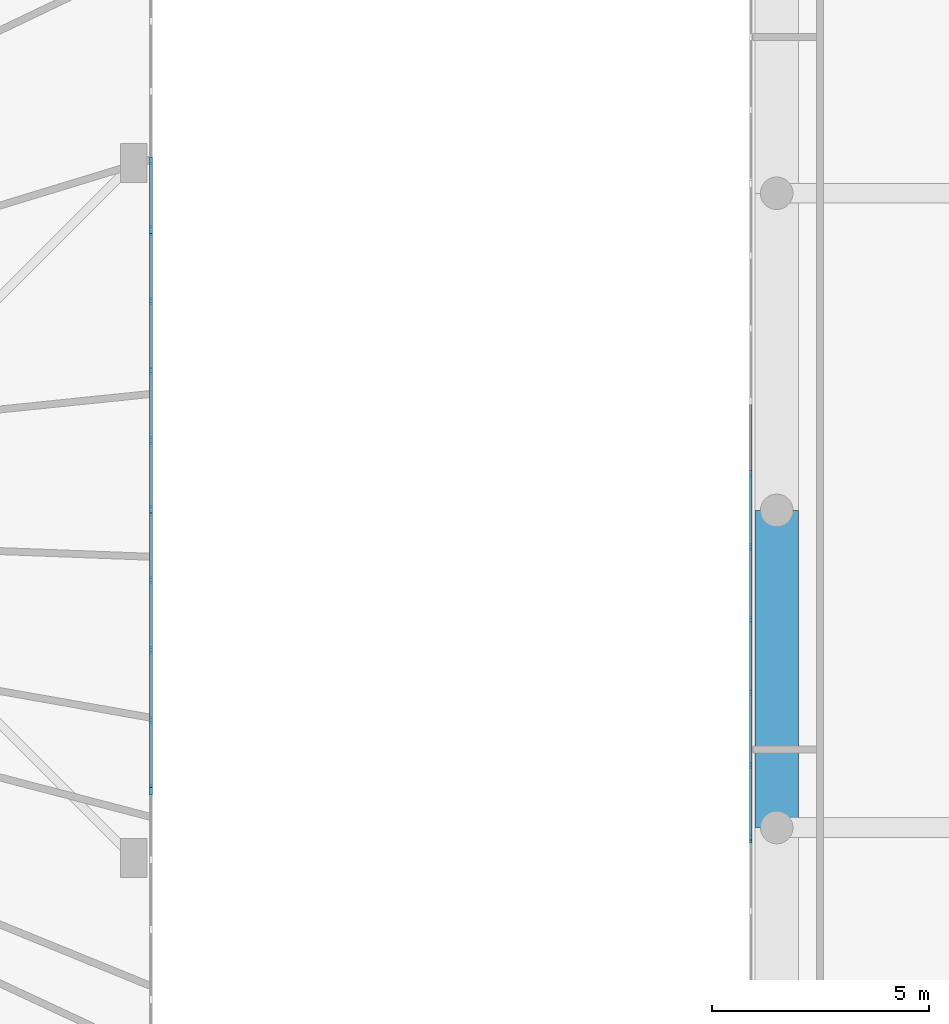
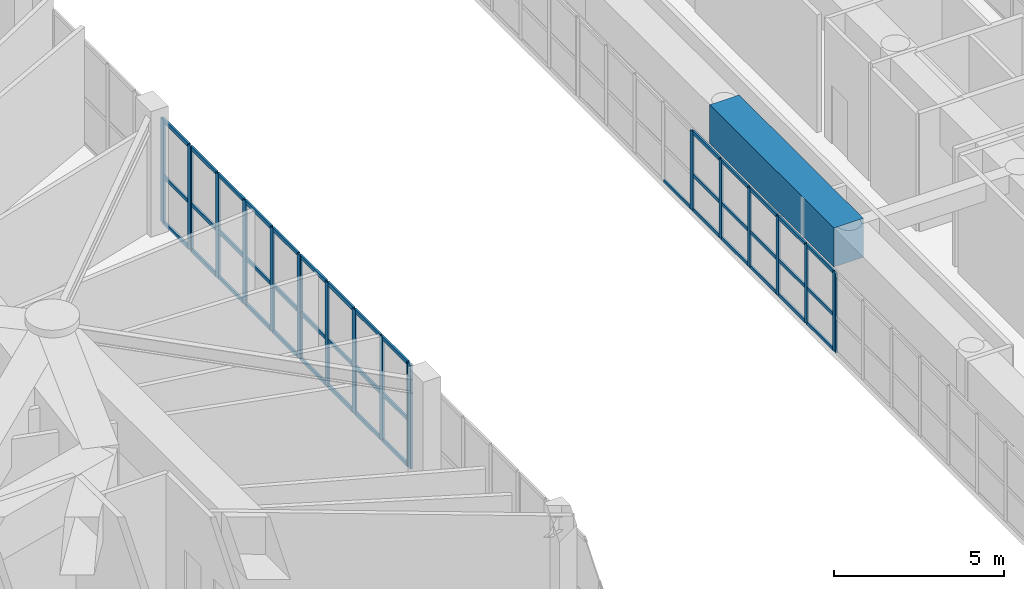
# One storey, part 4 of 22: 63 members, 1 beam, 6 elements without a shape of their own.
"""IFC4 building model written with IfcOpenShell, lengths in metres."""

from ifc_helpers import new_model, si_unit, direction, frame, origin, origin_with_axes, origin_2d, place, context, subcontext, project, spatial, rectangle, extrude, source, transform, mapped, material, layer, layer_set, material_profile, profile_set, type_object, element, aggregate, save


model = new_model("IFC4")

# Units and contexts
model_context = context("Model", 3, precision=1e-05, world=origin(), true_north=direction((0.0, 1.0)))
body_context = subcontext(model_context, "Body", "Model", "MODEL_VIEW")
ifc_project = project(units=[si_unit("LENGTHUNIT", "METRE"), si_unit("AREAUNIT", "SQUARE_METRE"), si_unit("VOLUMEUNIT", "CUBIC_METRE"), si_unit("PLANEANGLEUNIT", "RADIAN"), si_unit("MASSUNIT", "GRAM", prefix="KILO")], contexts=[model_context])

# Site, building, storey
site_placement = place(None, origin())
site = spatial("IfcSite", under=ifc_project, at=site_placement, CompositionType="ELEMENT")
building_placement = place(site_placement, origin())
building = spatial("IfcBuilding", under=site, at=building_placement, Name="Karkom Vertical University and Central Library", CompositionType="ELEMENT")
storey_placement = place(building_placement, frame((0.0, 0.0, 18.0)))
storey = spatial("IfcBuildingStorey", under=building, at=storey_placement, Name="L04", CompositionType="ELEMENT", Elevation=18.0)

# Beam
ifc_material_1 = material(Name="Concrete C50/60", Category="concrete")
ifc_material_profile_1 = material_profile(ifc_material_1, rectangle(XDim=1.0, YDim=1.39990234375, at=origin_2d()), Name="TG-1000x1400")
ifc_profile_set_1 = profile_set([ifc_material_profile_1], Name="Concrete C50/60")
beam_type = type_object("IfcBeamType", Name="STR-BM-TG-2", PredefinedType="USERDEFINED", material=ifc_profile_set_1)
shared_shape_1 = source(origin_with_axes(), body_context, "Body", "SweptSolid", [
    extrude(rectangle(XDim=1.0, YDim=1.39990234375, at=origin_2d()), origin(), (0.0, 0.0, 1.0), 7.300048828125),
])
beam_placement = place(storey_placement, frame((69.60009765625, 19.199951171875, 3.52490234375), z_axis=(0.0, 1.0, 0.0), x_axis=(-1.0, 0.0, 0.0)))
element("IfcBeam", 1, at=beam_placement, inside=storey, type_object=beam_type, Name="Level 04 Library Vault Transfer Eave Girder 1.3", ObjectType="GIRDER", PredefinedType="USERDEFINED", context=body_context, shape_type="MappedRepresentation", body=[
    mapped(shared_shape_1, transform((0.0, 0.0, 0.0), scale=1.0)),
])

# Curtain wall, member
ifc_material_2 = material(Name="Aluminium curtain-wall framing and low-E IGU", Category="aluminium")
ifc_layer_1 = layer(ifc_material_2, 0.199951171875)
ifc_layer_set_1 = layer_set([ifc_layer_1], Name="Aluminium curtain-wall framing and low-E IGU")
curtain_wall_type_1 = type_object("IfcCurtainWallType", Name="ENV-CW-4", PredefinedType="USERDEFINED", material=ifc_layer_set_1)
curtain_wall_1_placement = place(storey_placement, origin())
curtain_wall_1 = element("IfcCurtainWall", 2, at=curtain_wall_1_placement, inside=storey, type_object=curtain_wall_type_1, Name="Level 04 CW-4 Curtain Wall Level 04-CW4-3-2", ObjectType="UNITISED GLAZING", PredefinedType="USERDEFINED")
ifc_material_3 = material(Name="Anodised Aluminium 6063-T6", Category="aluminium")
ifc_material_profile_2 = material_profile(ifc_material_3, rectangle(XDim=0.06494140625, YDim=0.179931640625, at=origin_2d()), Name="ALU-M65x180")
ifc_profile_set_2 = profile_set([ifc_material_profile_2], Name="Anodised Aluminium 6063-T6")
member_type_1 = type_object("IfcMemberType", Name="ENV-MEM-ALU-M65x180", PredefinedType="MULLION", material=ifc_profile_set_2)
shared_shape_2 = source(origin_with_axes(), body_context, "Body", "SweptSolid", [
    extrude(rectangle(XDim=0.06494140625, YDim=0.179931640625, at=origin_2d()), origin(), (0.0, 0.0, 1.0), 3.72509765625),
])
member_1_placement = place(storey_placement, frame((55.199951171875, 20.0341796875, 0.0), z_axis=(0.0, 0.0, 1.0), x_axis=(-1.0, 0.0, 0.0)))
member_1 = element("IfcMember", 3, at=member_1_placement, type_object=member_type_1, Name="CW-4 mullion 5", PredefinedType="MULLION", context=body_context, shape_type="MappedRepresentation", body=[
    mapped(shared_shape_2, transform((0.0, 0.0, 0.0), scale=1.0)),
])
aggregate(curtain_wall_1, [member_1])

# Curtain wall, members
curtain_wall_2_placement = place(storey_placement, origin())
curtain_wall_2 = element("IfcCurtainWall", 4, at=curtain_wall_2_placement, inside=storey, type_object=curtain_wall_type_1, Name="Level 04 CW-4 Curtain Wall Level 04-CW4-3-3", ObjectType="UNITISED GLAZING", PredefinedType="USERDEFINED")
member_2_placement = place(storey_placement, frame((55.199951171875, 20.09912109375, 0.0), z_axis=(0.0, 0.0, 1.0), x_axis=(-1.0, 0.0, 0.0)))
member_2 = element("IfcMember", 5, at=member_2_placement, type_object=member_type_1, Name="CW-4 mullion 1", PredefinedType="MULLION", context=body_context, shape_type="MappedRepresentation", body=[
    mapped(shared_shape_2, transform((0.0, 0.0, 0.0), scale=1.0)),
])
member_3_placement = place(storey_placement, frame((55.199951171875, 21.675048828125, 0.0), z_axis=(0.0, 0.0, 1.0), x_axis=(-1.0, 0.0, 0.0)))
member_3 = element("IfcMember", 6, at=member_3_placement, type_object=member_type_1, Name="CW-4 mullion 2", PredefinedType="MULLION", context=body_context, shape_type="MappedRepresentation", body=[
    mapped(shared_shape_2, transform((0.0, 0.0, 0.0), scale=1.0)),
])
member_4_placement = place(storey_placement, frame((55.199951171875, 23.283447265625, 0.0), z_axis=(0.0, 0.0, 1.0), x_axis=(-1.0, 0.0, 0.0)))
member_4 = element("IfcMember", 7, at=member_4_placement, type_object=member_type_1, Name="CW-4 mullion 3", PredefinedType="MULLION", context=body_context, shape_type="MappedRepresentation", body=[
    mapped(shared_shape_2, transform((0.0, 0.0, 0.0), scale=1.0)),
])
member_5_placement = place(storey_placement, frame((55.199951171875, 24.8916015625, 0.0), z_axis=(0.0, 0.0, 1.0), x_axis=(-1.0, 0.0, 0.0)))
member_5 = element("IfcMember", 8, at=member_5_placement, type_object=member_type_1, Name="CW-4 mullion 4", PredefinedType="MULLION", context=body_context, shape_type="MappedRepresentation", body=[
    mapped(shared_shape_2, transform((0.0, 0.0, 0.0), scale=1.0)),
])
member_6_placement = place(storey_placement, frame((55.199951171875, 26.467529296875, 0.0), z_axis=(0.0, 0.0, 1.0), x_axis=(-1.0, 0.0, 0.0)))
member_6 = element("IfcMember", 9, at=member_6_placement, type_object=member_type_1, Name="CW-4 mullion 5", PredefinedType="MULLION", context=body_context, shape_type="MappedRepresentation", body=[
    mapped(shared_shape_2, transform((0.0, 0.0, 0.0), scale=1.0)),
])

curtain_wall_3_placement = place(storey_placement, origin())
curtain_wall_3 = element("IfcCurtainWall", 10, at=curtain_wall_3_placement, inside=storey, type_object=curtain_wall_type_1, Name="Level 04 CW-4 Curtain Wall Level 04-CW4-3-4", ObjectType="UNITISED GLAZING", PredefinedType="USERDEFINED")
member_7_placement = place(storey_placement, frame((55.199951171875, 26.532470703125, 0.0), z_axis=(0.0, 0.0, 1.0), x_axis=(-1.0, 0.0, 0.0)))
member_7 = element("IfcMember", 11, at=member_7_placement, type_object=member_type_1, Name="CW-4 mullion 1", PredefinedType="MULLION", context=body_context, shape_type="MappedRepresentation", body=[
    mapped(shared_shape_2, transform((0.0, 0.0, 0.0), scale=1.0)),
])
member_8_placement = place(storey_placement, frame((55.199951171875, 28.1083984375, 0.0), z_axis=(0.0, 0.0, 1.0), x_axis=(-1.0, 0.0, 0.0)))
member_8 = element("IfcMember", 12, at=member_8_placement, type_object=member_type_1, Name="CW-4 mullion 2", PredefinedType="MULLION", context=body_context, shape_type="MappedRepresentation", body=[
    mapped(shared_shape_2, transform((0.0, 0.0, 0.0), scale=1.0)),
])
member_9_placement = place(storey_placement, frame((55.199951171875, 29.716552734375, 0.0), z_axis=(0.0, 0.0, 1.0), x_axis=(-1.0, 0.0, 0.0)))
member_9 = element("IfcMember", 13, at=member_9_placement, type_object=member_type_1, Name="CW-4 mullion 3", PredefinedType="MULLION", context=body_context, shape_type="MappedRepresentation", body=[
    mapped(shared_shape_2, transform((0.0, 0.0, 0.0), scale=1.0)),
])
member_10_placement = place(storey_placement, frame((55.199951171875, 31.324951171875, 0.0), z_axis=(0.0, 0.0, 1.0), x_axis=(-1.0, 0.0, 0.0)))
member_10 = element("IfcMember", 14, at=member_10_placement, type_object=member_type_1, Name="CW-4 mullion 4", PredefinedType="MULLION", context=body_context, shape_type="MappedRepresentation", body=[
    mapped(shared_shape_2, transform((0.0, 0.0, 0.0), scale=1.0)),
])
member_11_placement = place(storey_placement, frame((55.199951171875, 32.90087890625, 0.0), z_axis=(0.0, 0.0, 1.0), x_axis=(-1.0, 0.0, 0.0)))
member_11 = element("IfcMember", 15, at=member_11_placement, type_object=member_type_1, Name="CW-4 mullion 5", PredefinedType="MULLION", context=body_context, shape_type="MappedRepresentation", body=[
    mapped(shared_shape_2, transform((0.0, 0.0, 0.0), scale=1.0)),
])

curtain_wall_4_placement = place(storey_placement, origin())
curtain_wall_4 = element("IfcCurtainWall", 16, at=curtain_wall_4_placement, inside=storey, type_object=curtain_wall_type_1, Name="Level 04 CW-4 Curtain Wall Level 04-CW4-3-5", ObjectType="UNITISED GLAZING", PredefinedType="USERDEFINED")
member_12_placement = place(storey_placement, frame((55.199951171875, 32.9658203125, 0.0), z_axis=(0.0, 0.0, 1.0), x_axis=(-1.0, 0.0, 0.0)))
member_12 = element("IfcMember", 17, at=member_12_placement, type_object=member_type_1, Name="CW-4 mullion 1", PredefinedType="MULLION", context=body_context, shape_type="MappedRepresentation", body=[
    mapped(shared_shape_2, transform((0.0, 0.0, 0.0), scale=1.0)),
])
member_13_placement = place(storey_placement, frame((55.199951171875, 34.541748046875, 0.0), z_axis=(0.0, 0.0, 1.0), x_axis=(-1.0, 0.0, 0.0)))
member_13 = element("IfcMember", 18, at=member_13_placement, type_object=member_type_1, Name="CW-4 mullion 2", PredefinedType="MULLION", context=body_context, shape_type="MappedRepresentation", body=[
    mapped(shared_shape_2, transform((0.0, 0.0, 0.0), scale=1.0)),
])

# Member
ifc_material_profile_3 = material_profile(ifc_material_3, rectangle(XDim=0.06494140625, YDim=0.135009765625, at=origin_2d()), Name="ALU-T65x135")
ifc_profile_set_3 = profile_set([ifc_material_profile_3], Name="Anodised Aluminium 6063-T6")
member_type_2 = type_object("IfcMemberType", Name="ENV-MEM-ALU-T65x135", PredefinedType="USERDEFINED", material=ifc_profile_set_3)
shared_shape_3 = source(origin_with_axes(), body_context, "Body", "SweptSolid", [
    extrude(rectangle(XDim=0.06494140625, YDim=0.135009765625, at=origin_2d()), origin(), (0.0, 0.0, 1.0), 1.510986328125),
])
member_14_placement = place(storey_placement, frame((55.199951171875, 20.131591796875, 0.032470703125), z_axis=(0.0, 1.0, 0.0), x_axis=(-1.0, 0.0, 0.0)))
member_14 = element("IfcMember", 19, at=member_14_placement, type_object=member_type_2, Name="CW-4 transom 1.1", ObjectType="TRANSOM", PredefinedType="USERDEFINED", context=body_context, shape_type="MappedRepresentation", body=[
    mapped(shared_shape_3, transform((0.0, 0.0, 0.0), scale=1.0)),
])

member_15_placement = place(storey_placement, frame((55.199951171875, 20.131591796875, 1.67626953125), z_axis=(0.0, 1.0, 0.0), x_axis=(-1.0, 0.0, 0.0)))
member_15 = element("IfcMember", 20, at=member_15_placement, type_object=member_type_2, Name="CW-4 transom 1.2", ObjectType="TRANSOM", PredefinedType="USERDEFINED", context=body_context, shape_type="MappedRepresentation", body=[
    mapped(shared_shape_3, transform((0.0, 0.0, 0.0), scale=1.0)),
])

member_16_placement = place(storey_placement, frame((55.199951171875, 20.131591796875, 3.6923828125), z_axis=(0.0, 1.0, 0.0), x_axis=(-1.0, 0.0, 0.0)))
member_16 = element("IfcMember", 21, at=member_16_placement, type_object=member_type_2, Name="CW-4 transom 1.3", ObjectType="TRANSOM", PredefinedType="USERDEFINED", context=body_context, shape_type="MappedRepresentation", body=[
    mapped(shared_shape_3, transform((0.0, 0.0, 0.0), scale=1.0)),
])

member_17_placement = place(storey_placement, frame((55.199951171875, 24.924072265625, 0.032470703125), z_axis=(0.0, 1.0, 0.0), x_axis=(-1.0, 0.0, 0.0)))
member_17 = element("IfcMember", 22, at=member_17_placement, type_object=member_type_2, Name="CW-4 transom 4.1", ObjectType="TRANSOM", PredefinedType="USERDEFINED", context=body_context, shape_type="MappedRepresentation", body=[
    mapped(shared_shape_3, transform((0.0, 0.0, 0.0), scale=1.0)),
])

member_18_placement = place(storey_placement, frame((55.199951171875, 24.924072265625, 1.67626953125), z_axis=(0.0, 1.0, 0.0), x_axis=(-1.0, 0.0, 0.0)))
member_18 = element("IfcMember", 23, at=member_18_placement, type_object=member_type_2, Name="CW-4 transom 4.2", ObjectType="TRANSOM", PredefinedType="USERDEFINED", context=body_context, shape_type="MappedRepresentation", body=[
    mapped(shared_shape_3, transform((0.0, 0.0, 0.0), scale=1.0)),
])

member_19_placement = place(storey_placement, frame((55.199951171875, 24.924072265625, 3.6923828125), z_axis=(0.0, 1.0, 0.0), x_axis=(-1.0, 0.0, 0.0)))
member_19 = element("IfcMember", 24, at=member_19_placement, type_object=member_type_2, Name="CW-4 transom 4.3", ObjectType="TRANSOM", PredefinedType="USERDEFINED", context=body_context, shape_type="MappedRepresentation", body=[
    mapped(shared_shape_3, transform((0.0, 0.0, 0.0), scale=1.0)),
])

member_20_placement = place(storey_placement, frame((55.199951171875, 26.56494140625, 0.032470703125), z_axis=(0.0, 1.0, 0.0), x_axis=(-1.0, 0.0, 0.0)))
member_20 = element("IfcMember", 25, at=member_20_placement, type_object=member_type_2, Name="CW-4 transom 1.1", ObjectType="TRANSOM", PredefinedType="USERDEFINED", context=body_context, shape_type="MappedRepresentation", body=[
    mapped(shared_shape_3, transform((0.0, 0.0, 0.0), scale=1.0)),
])

member_21_placement = place(storey_placement, frame((55.199951171875, 26.56494140625, 1.67626953125), z_axis=(0.0, 1.0, 0.0), x_axis=(-1.0, 0.0, 0.0)))
member_21 = element("IfcMember", 26, at=member_21_placement, type_object=member_type_2, Name="CW-4 transom 1.2", ObjectType="TRANSOM", PredefinedType="USERDEFINED", context=body_context, shape_type="MappedRepresentation", body=[
    mapped(shared_shape_3, transform((0.0, 0.0, 0.0), scale=1.0)),
])

member_22_placement = place(storey_placement, frame((55.199951171875, 26.56494140625, 3.6923828125), z_axis=(0.0, 1.0, 0.0), x_axis=(-1.0, 0.0, 0.0)))
member_22 = element("IfcMember", 27, at=member_22_placement, type_object=member_type_2, Name="CW-4 transom 1.3", ObjectType="TRANSOM", PredefinedType="USERDEFINED", context=body_context, shape_type="MappedRepresentation", body=[
    mapped(shared_shape_3, transform((0.0, 0.0, 0.0), scale=1.0)),
])

member_23_placement = place(storey_placement, frame((55.199951171875, 31.357421875, 0.032470703125), z_axis=(0.0, 1.0, 0.0), x_axis=(-1.0, 0.0, 0.0)))
member_23 = element("IfcMember", 28, at=member_23_placement, type_object=member_type_2, Name="CW-4 transom 4.1", ObjectType="TRANSOM", PredefinedType="USERDEFINED", context=body_context, shape_type="MappedRepresentation", body=[
    mapped(shared_shape_3, transform((0.0, 0.0, 0.0), scale=1.0)),
])

member_24_placement = place(storey_placement, frame((55.199951171875, 31.357421875, 1.67626953125), z_axis=(0.0, 1.0, 0.0), x_axis=(-1.0, 0.0, 0.0)))
member_24 = element("IfcMember", 29, at=member_24_placement, type_object=member_type_2, Name="CW-4 transom 4.2", ObjectType="TRANSOM", PredefinedType="USERDEFINED", context=body_context, shape_type="MappedRepresentation", body=[
    mapped(shared_shape_3, transform((0.0, 0.0, 0.0), scale=1.0)),
])

member_25_placement = place(storey_placement, frame((55.199951171875, 31.357421875, 3.6923828125), z_axis=(0.0, 1.0, 0.0), x_axis=(-1.0, 0.0, 0.0)))
member_25 = element("IfcMember", 30, at=member_25_placement, type_object=member_type_2, Name="CW-4 transom 4.3", ObjectType="TRANSOM", PredefinedType="USERDEFINED", context=body_context, shape_type="MappedRepresentation", body=[
    mapped(shared_shape_3, transform((0.0, 0.0, 0.0), scale=1.0)),
])

shared_shape_4 = source(origin_with_axes(), body_context, "Body", "SweptSolid", [
    extrude(rectangle(XDim=0.06494140625, YDim=0.135009765625, at=origin_2d()), origin(), (0.0, 0.0, 1.0), 1.543212890625),
])
member_26_placement = place(storey_placement, frame((55.199951171875, 21.70751953125, 0.032470703125), z_axis=(0.0, 1.0, 0.0), x_axis=(-1.0, 0.0, 0.0)))
member_26 = element("IfcMember", 31, at=member_26_placement, type_object=member_type_2, Name="CW-4 transom 2.1", ObjectType="TRANSOM", PredefinedType="USERDEFINED", context=body_context, shape_type="MappedRepresentation", body=[
    mapped(shared_shape_4, transform((0.0, 0.0, 0.0), scale=1.0)),
])

member_27_placement = place(storey_placement, frame((55.199951171875, 21.70751953125, 1.67626953125), z_axis=(0.0, 1.0, 0.0), x_axis=(-1.0, 0.0, 0.0)))
member_27 = element("IfcMember", 32, at=member_27_placement, type_object=member_type_2, Name="CW-4 transom 2.2", ObjectType="TRANSOM", PredefinedType="USERDEFINED", context=body_context, shape_type="MappedRepresentation", body=[
    mapped(shared_shape_4, transform((0.0, 0.0, 0.0), scale=1.0)),
])

member_28_placement = place(storey_placement, frame((55.199951171875, 21.70751953125, 3.6923828125), z_axis=(0.0, 1.0, 0.0), x_axis=(-1.0, 0.0, 0.0)))
member_28 = element("IfcMember", 33, at=member_28_placement, type_object=member_type_2, Name="CW-4 transom 2.3", ObjectType="TRANSOM", PredefinedType="USERDEFINED", context=body_context, shape_type="MappedRepresentation", body=[
    mapped(shared_shape_4, transform((0.0, 0.0, 0.0), scale=1.0)),
])

member_29_placement = place(storey_placement, frame((55.199951171875, 23.31591796875, 0.032470703125), z_axis=(0.0, 1.0, 0.0), x_axis=(-1.0, 0.0, 0.0)))
member_29 = element("IfcMember", 34, at=member_29_placement, type_object=member_type_2, Name="CW-4 transom 3.1", ObjectType="TRANSOM", PredefinedType="USERDEFINED", context=body_context, shape_type="MappedRepresentation", body=[
    mapped(shared_shape_4, transform((0.0, 0.0, 0.0), scale=1.0)),
])

member_30_placement = place(storey_placement, frame((55.199951171875, 23.31591796875, 1.67626953125), z_axis=(0.0, 1.0, 0.0), x_axis=(-1.0, 0.0, 0.0)))
member_30 = element("IfcMember", 35, at=member_30_placement, type_object=member_type_2, Name="CW-4 transom 3.2", ObjectType="TRANSOM", PredefinedType="USERDEFINED", context=body_context, shape_type="MappedRepresentation", body=[
    mapped(shared_shape_4, transform((0.0, 0.0, 0.0), scale=1.0)),
])

member_31_placement = place(storey_placement, frame((55.199951171875, 23.31591796875, 3.6923828125), z_axis=(0.0, 1.0, 0.0), x_axis=(-1.0, 0.0, 0.0)))
member_31 = element("IfcMember", 36, at=member_31_placement, type_object=member_type_2, Name="CW-4 transom 3.3", ObjectType="TRANSOM", PredefinedType="USERDEFINED", context=body_context, shape_type="MappedRepresentation", body=[
    mapped(shared_shape_4, transform((0.0, 0.0, 0.0), scale=1.0)),
])

aggregate(curtain_wall_2, [member_2, member_3, member_4, member_5, member_6, member_14, member_15, member_16, member_26, member_27, member_28, member_29, member_30, member_31, member_17, member_18, member_19])

member_32_placement = place(storey_placement, frame((55.199951171875, 28.140869140625, 0.032470703125), z_axis=(0.0, 1.0, 0.0), x_axis=(-1.0, 0.0, 0.0)))
member_32 = element("IfcMember", 37, at=member_32_placement, type_object=member_type_2, Name="CW-4 transom 2.1", ObjectType="TRANSOM", PredefinedType="USERDEFINED", context=body_context, shape_type="MappedRepresentation", body=[
    mapped(shared_shape_4, transform((0.0, 0.0, 0.0), scale=1.0)),
])

member_33_placement = place(storey_placement, frame((55.199951171875, 28.140869140625, 1.67626953125), z_axis=(0.0, 1.0, 0.0), x_axis=(-1.0, 0.0, 0.0)))
member_33 = element("IfcMember", 38, at=member_33_placement, type_object=member_type_2, Name="CW-4 transom 2.2", ObjectType="TRANSOM", PredefinedType="USERDEFINED", context=body_context, shape_type="MappedRepresentation", body=[
    mapped(shared_shape_4, transform((0.0, 0.0, 0.0), scale=1.0)),
])

member_34_placement = place(storey_placement, frame((55.199951171875, 28.140869140625, 3.6923828125), z_axis=(0.0, 1.0, 0.0), x_axis=(-1.0, 0.0, 0.0)))
member_34 = element("IfcMember", 39, at=member_34_placement, type_object=member_type_2, Name="CW-4 transom 2.3", ObjectType="TRANSOM", PredefinedType="USERDEFINED", context=body_context, shape_type="MappedRepresentation", body=[
    mapped(shared_shape_4, transform((0.0, 0.0, 0.0), scale=1.0)),
])

member_35_placement = place(storey_placement, frame((55.199951171875, 29.749267578125, 0.032470703125), z_axis=(0.0, 1.0, 0.0), x_axis=(-1.0, 0.0, 0.0)))
member_35 = element("IfcMember", 40, at=member_35_placement, type_object=member_type_2, Name="CW-4 transom 3.1", ObjectType="TRANSOM", PredefinedType="USERDEFINED", context=body_context, shape_type="MappedRepresentation", body=[
    mapped(shared_shape_4, transform((0.0, 0.0, 0.0), scale=1.0)),
])

member_36_placement = place(storey_placement, frame((55.199951171875, 29.749267578125, 1.67626953125), z_axis=(0.0, 1.0, 0.0), x_axis=(-1.0, 0.0, 0.0)))
member_36 = element("IfcMember", 41, at=member_36_placement, type_object=member_type_2, Name="CW-4 transom 3.2", ObjectType="TRANSOM", PredefinedType="USERDEFINED", context=body_context, shape_type="MappedRepresentation", body=[
    mapped(shared_shape_4, transform((0.0, 0.0, 0.0), scale=1.0)),
])

member_37_placement = place(storey_placement, frame((55.199951171875, 29.749267578125, 3.6923828125), z_axis=(0.0, 1.0, 0.0), x_axis=(-1.0, 0.0, 0.0)))
member_37 = element("IfcMember", 42, at=member_37_placement, type_object=member_type_2, Name="CW-4 transom 3.3", ObjectType="TRANSOM", PredefinedType="USERDEFINED", context=body_context, shape_type="MappedRepresentation", body=[
    mapped(shared_shape_4, transform((0.0, 0.0, 0.0), scale=1.0)),
])

aggregate(curtain_wall_3, [member_7, member_8, member_9, member_10, member_11, member_20, member_21, member_22, member_32, member_33, member_34, member_35, member_36, member_37, member_23, member_24, member_25])

shared_shape_5 = source(origin_with_axes(), body_context, "Body", "SweptSolid", [
    extrude(rectangle(XDim=0.06494140625, YDim=0.135009765625, at=origin_2d()), origin(), (0.0, 0.0, 1.0), 1.5107421875),
])
member_38_placement = place(storey_placement, frame((55.199951171875, 32.998291015625, 0.032470703125), z_axis=(0.0, 1.0, 0.0), x_axis=(-1.0, 0.0, 0.0)))
member_38 = element("IfcMember", 43, at=member_38_placement, type_object=member_type_2, Name="CW-4 transom 1.1", ObjectType="TRANSOM", PredefinedType="USERDEFINED", context=body_context, shape_type="MappedRepresentation", body=[
    mapped(shared_shape_5, transform((0.0, 0.0, 0.0), scale=1.0)),
])

member_39_placement = place(storey_placement, frame((55.199951171875, 32.998291015625, 1.67626953125), z_axis=(0.0, 1.0, 0.0), x_axis=(-1.0, 0.0, 0.0)))
member_39 = element("IfcMember", 44, at=member_39_placement, type_object=member_type_2, Name="CW-4 transom 1.2", ObjectType="TRANSOM", PredefinedType="USERDEFINED", context=body_context, shape_type="MappedRepresentation", body=[
    mapped(shared_shape_5, transform((0.0, 0.0, 0.0), scale=1.0)),
])

member_40_placement = place(storey_placement, frame((55.199951171875, 32.998291015625, 3.6923828125), z_axis=(0.0, 1.0, 0.0), x_axis=(-1.0, 0.0, 0.0)))
member_40 = element("IfcMember", 45, at=member_40_placement, type_object=member_type_2, Name="CW-4 transom 1.3", ObjectType="TRANSOM", PredefinedType="USERDEFINED", context=body_context, shape_type="MappedRepresentation", body=[
    mapped(shared_shape_5, transform((0.0, 0.0, 0.0), scale=1.0)),
])

aggregate(curtain_wall_4, [member_12, member_13, member_38, member_39, member_40])

# Curtain wall, members
ifc_layer_2 = layer(ifc_material_2, 0.199951171875)
ifc_layer_set_2 = layer_set([ifc_layer_2], Name="Aluminium curtain-wall framing and low-E IGU")
curtain_wall_type_2 = type_object("IfcCurtainWallType", Name="ENV-CW-2", PredefinedType="USERDEFINED", material=ifc_layer_set_2)
curtain_wall_5_placement = place(storey_placement, origin())
curtain_wall_5 = element("IfcCurtainWall", 46, at=curtain_wall_5_placement, inside=storey, type_object=curtain_wall_type_2, Name="Level 04 CW-2 Curtain Wall Level 04-CW2-7-2", ObjectType="STICK MULLION GLAZING", PredefinedType="USERDEFINED")
ifc_material_profile_4 = material_profile(ifc_material_3, rectangle(XDim=0.06005859375, YDim=0.159912109375, at=origin_2d()), Name="ALU-M60x160")
ifc_profile_set_4 = profile_set([ifc_material_profile_4], Name="Anodised Aluminium 6063-T6")
member_type_3 = type_object("IfcMemberType", Name="ENV-MEM-ALU-M60x160", PredefinedType="MULLION", material=ifc_profile_set_4)
shared_shape_6 = source(origin_with_axes(), body_context, "Body", "SweptSolid", [
    extrude(rectangle(XDim=0.06005859375, YDim=0.159912109375, at=origin_2d()), origin(), (0.0, 0.0, 1.0), 2.824951171875),
])
member_41_placement = place(storey_placement, frame((69.0, 27.338134765625, 0.0), z_axis=(0.0, 0.0, 1.0), x_axis=(1.0, 0.0, 0.0)))
member_41 = element("IfcMember", 47, at=member_41_placement, type_object=member_type_3, Name="CW-2 mullion 5", PredefinedType="MULLION", context=body_context, shape_type="MappedRepresentation", body=[
    mapped(shared_shape_6, transform((0.0, 0.0, 0.0), scale=1.0)),
])
member_42_placement = place(storey_placement, frame((69.0, 25.661865234375, 0.0), z_axis=(0.0, 0.0, 1.0), x_axis=(1.0, 0.0, 0.0)))
member_42 = element("IfcMember", 48, at=member_42_placement, type_object=member_type_3, Name="CW-2 mullion 6", PredefinedType="MULLION", context=body_context, shape_type="MappedRepresentation", body=[
    mapped(shared_shape_6, transform((0.0, 0.0, 0.0), scale=1.0)),
])
member_43_placement = place(storey_placement, frame((69.0, 23.985595703125, 0.0), z_axis=(0.0, 0.0, 1.0), x_axis=(1.0, 0.0, 0.0)))
member_43 = element("IfcMember", 49, at=member_43_placement, type_object=member_type_3, Name="CW-2 mullion 7", PredefinedType="MULLION", context=body_context, shape_type="MappedRepresentation", body=[
    mapped(shared_shape_6, transform((0.0, 0.0, 0.0), scale=1.0)),
])
member_44_placement = place(storey_placement, frame((69.0, 22.309326171875, 0.0), z_axis=(0.0, 0.0, 1.0), x_axis=(1.0, 0.0, 0.0)))
member_44 = element("IfcMember", 50, at=member_44_placement, type_object=member_type_3, Name="CW-2 mullion 8", PredefinedType="MULLION", context=body_context, shape_type="MappedRepresentation", body=[
    mapped(shared_shape_6, transform((0.0, 0.0, 0.0), scale=1.0)),
])
member_45_placement = place(storey_placement, frame((69.0, 20.633056640625, 0.0), z_axis=(0.0, 0.0, 1.0), x_axis=(1.0, 0.0, 0.0)))
member_45 = element("IfcMember", 51, at=member_45_placement, type_object=member_type_3, Name="CW-2 mullion 9", PredefinedType="MULLION", context=body_context, shape_type="MappedRepresentation", body=[
    mapped(shared_shape_6, transform((0.0, 0.0, 0.0), scale=1.0)),
])
member_46_placement = place(storey_placement, frame((69.0, 18.98681640625, 0.0), z_axis=(0.0, 0.0, 1.0), x_axis=(1.0, 0.0, 0.0)))
member_46 = element("IfcMember", 52, at=member_46_placement, type_object=member_type_3, Name="CW-2 mullion 10", PredefinedType="MULLION", context=body_context, shape_type="MappedRepresentation", body=[
    mapped(shared_shape_6, transform((0.0, 0.0, 0.0), scale=1.0)),
])

# Curtain wall, member
curtain_wall_6_placement = place(storey_placement, origin())
curtain_wall_6 = element("IfcCurtainWall", 53, at=curtain_wall_6_placement, inside=storey, type_object=curtain_wall_type_2, Name="Level 04 CW-2 Curtain Wall Level 04-CW2-7-3", ObjectType="STICK MULLION GLAZING", PredefinedType="USERDEFINED")
member_47_placement = place(storey_placement, frame((69.0, 18.9267578125, 0.0), z_axis=(0.0, 0.0, 1.0), x_axis=(1.0, 0.0, 0.0)))
member_47 = element("IfcMember", 54, at=member_47_placement, type_object=member_type_3, Name="CW-2 mullion 1", PredefinedType="MULLION", context=body_context, shape_type="MappedRepresentation", body=[
    mapped(shared_shape_6, transform((0.0, 0.0, 0.0), scale=1.0)),
])
aggregate(curtain_wall_6, [member_47])

# Member
ifc_material_profile_5 = material_profile(ifc_material_3, rectangle(XDim=0.06005859375, YDim=0.1201171875, at=origin_2d()), Name="ALU-T60x120")
ifc_profile_set_5 = profile_set([ifc_material_profile_5], Name="Anodised Aluminium 6063-T6")
member_type_4 = type_object("IfcMemberType", Name="ENV-MEM-ALU-T60x120", PredefinedType="USERDEFINED", material=ifc_profile_set_5)
shared_shape_7 = source(origin_with_axes(), body_context, "Body", "SweptSolid", [
    extrude(rectangle(XDim=0.06005859375, YDim=0.1201171875, at=origin_2d()), origin(), (0.0, 0.0, 1.0), 1.58642578125),
])
member_48_placement = place(storey_placement, frame((69.0, 20.60302734375, 0.030029296875), z_axis=(0.0, -1.0, 0.0), x_axis=(1.0, 0.0, 0.0)))
member_48 = element("IfcMember", 55, at=member_48_placement, type_object=member_type_4, Name="CW-2 transom 9.1", ObjectType="TRANSOM", PredefinedType="USERDEFINED", context=body_context, shape_type="MappedRepresentation", body=[
    mapped(shared_shape_7, transform((0.0, 0.0, 0.0), scale=1.0)),
])

member_49_placement = place(storey_placement, frame((69.0, 20.60302734375, 1.271240234375), z_axis=(0.0, -1.0, 0.0), x_axis=(1.0, 0.0, 0.0)))
member_49 = element("IfcMember", 56, at=member_49_placement, type_object=member_type_4, Name="CW-2 transom 9.2", ObjectType="TRANSOM", PredefinedType="USERDEFINED", context=body_context, shape_type="MappedRepresentation", body=[
    mapped(shared_shape_7, transform((0.0, 0.0, 0.0), scale=1.0)),
])

member_50_placement = place(storey_placement, frame((69.0, 20.60302734375, 2.794921875), z_axis=(0.0, -1.0, 0.0), x_axis=(1.0, 0.0, 0.0)))
member_50 = element("IfcMember", 57, at=member_50_placement, type_object=member_type_4, Name="CW-2 transom 9.3", ObjectType="TRANSOM", PredefinedType="USERDEFINED", context=body_context, shape_type="MappedRepresentation", body=[
    mapped(shared_shape_7, transform((0.0, 0.0, 0.0), scale=1.0)),
])

shared_shape_8 = source(origin_with_axes(), body_context, "Body", "SweptSolid", [
    extrude(rectangle(XDim=0.06005859375, YDim=0.1201171875, at=origin_2d()), origin(), (0.0, 0.0, 1.0), 1.6162109375),
])
member_51_placement = place(storey_placement, frame((69.0, 28.984375, 0.030029296875), z_axis=(0.0, -1.0, 0.0), x_axis=(1.0, 0.0, 0.0)))
member_51 = element("IfcMember", 58, at=member_51_placement, type_object=member_type_4, Name="CW-2 transom 4.1", ObjectType="TRANSOM", PredefinedType="USERDEFINED", context=body_context, shape_type="MappedRepresentation", body=[
    mapped(shared_shape_8, transform((0.0, 0.0, 0.0), scale=1.0)),
])

member_52_placement = place(storey_placement, frame((69.0, 27.30810546875, 0.030029296875), z_axis=(0.0, -1.0, 0.0), x_axis=(1.0, 0.0, 0.0)))
member_52 = element("IfcMember", 59, at=member_52_placement, type_object=member_type_4, Name="CW-2 transom 5.1", ObjectType="TRANSOM", PredefinedType="USERDEFINED", context=body_context, shape_type="MappedRepresentation", body=[
    mapped(shared_shape_8, transform((0.0, 0.0, 0.0), scale=1.0)),
])

member_53_placement = place(storey_placement, frame((69.0, 27.30810546875, 1.271240234375), z_axis=(0.0, -1.0, 0.0), x_axis=(1.0, 0.0, 0.0)))
member_53 = element("IfcMember", 60, at=member_53_placement, type_object=member_type_4, Name="CW-2 transom 5.2", ObjectType="TRANSOM", PredefinedType="USERDEFINED", context=body_context, shape_type="MappedRepresentation", body=[
    mapped(shared_shape_8, transform((0.0, 0.0, 0.0), scale=1.0)),
])

member_54_placement = place(storey_placement, frame((69.0, 27.30810546875, 2.794921875), z_axis=(0.0, -1.0, 0.0), x_axis=(1.0, 0.0, 0.0)))
member_54 = element("IfcMember", 61, at=member_54_placement, type_object=member_type_4, Name="CW-2 transom 5.3", ObjectType="TRANSOM", PredefinedType="USERDEFINED", context=body_context, shape_type="MappedRepresentation", body=[
    mapped(shared_shape_8, transform((0.0, 0.0, 0.0), scale=1.0)),
])

member_55_placement = place(storey_placement, frame((69.0, 25.6318359375, 0.030029296875), z_axis=(0.0, -1.0, 0.0), x_axis=(1.0, 0.0, 0.0)))
member_55 = element("IfcMember", 62, at=member_55_placement, type_object=member_type_4, Name="CW-2 transom 6.1", ObjectType="TRANSOM", PredefinedType="USERDEFINED", context=body_context, shape_type="MappedRepresentation", body=[
    mapped(shared_shape_8, transform((0.0, 0.0, 0.0), scale=1.0)),
])

member_56_placement = place(storey_placement, frame((69.0, 25.6318359375, 1.271240234375), z_axis=(0.0, -1.0, 0.0), x_axis=(1.0, 0.0, 0.0)))
member_56 = element("IfcMember", 63, at=member_56_placement, type_object=member_type_4, Name="CW-2 transom 6.2", ObjectType="TRANSOM", PredefinedType="USERDEFINED", context=body_context, shape_type="MappedRepresentation", body=[
    mapped(shared_shape_8, transform((0.0, 0.0, 0.0), scale=1.0)),
])

member_57_placement = place(storey_placement, frame((69.0, 25.6318359375, 2.794921875), z_axis=(0.0, -1.0, 0.0), x_axis=(1.0, 0.0, 0.0)))
member_57 = element("IfcMember", 64, at=member_57_placement, type_object=member_type_4, Name="CW-2 transom 6.3", ObjectType="TRANSOM", PredefinedType="USERDEFINED", context=body_context, shape_type="MappedRepresentation", body=[
    mapped(shared_shape_8, transform((0.0, 0.0, 0.0), scale=1.0)),
])

member_58_placement = place(storey_placement, frame((69.0, 23.95556640625, 0.030029296875), z_axis=(0.0, -1.0, 0.0), x_axis=(1.0, 0.0, 0.0)))
member_58 = element("IfcMember", 65, at=member_58_placement, type_object=member_type_4, Name="CW-2 transom 7.1", ObjectType="TRANSOM", PredefinedType="USERDEFINED", context=body_context, shape_type="MappedRepresentation", body=[
    mapped(shared_shape_8, transform((0.0, 0.0, 0.0), scale=1.0)),
])

member_59_placement = place(storey_placement, frame((69.0, 23.95556640625, 1.271240234375), z_axis=(0.0, -1.0, 0.0), x_axis=(1.0, 0.0, 0.0)))
member_59 = element("IfcMember", 66, at=member_59_placement, type_object=member_type_4, Name="CW-2 transom 7.2", ObjectType="TRANSOM", PredefinedType="USERDEFINED", context=body_context, shape_type="MappedRepresentation", body=[
    mapped(shared_shape_8, transform((0.0, 0.0, 0.0), scale=1.0)),
])

member_60_placement = place(storey_placement, frame((69.0, 23.95556640625, 2.794921875), z_axis=(0.0, -1.0, 0.0), x_axis=(1.0, 0.0, 0.0)))
member_60 = element("IfcMember", 67, at=member_60_placement, type_object=member_type_4, Name="CW-2 transom 7.3", ObjectType="TRANSOM", PredefinedType="USERDEFINED", context=body_context, shape_type="MappedRepresentation", body=[
    mapped(shared_shape_8, transform((0.0, 0.0, 0.0), scale=1.0)),
])

member_61_placement = place(storey_placement, frame((69.0, 22.279296875, 0.030029296875), z_axis=(0.0, -1.0, 0.0), x_axis=(1.0, 0.0, 0.0)))
member_61 = element("IfcMember", 68, at=member_61_placement, type_object=member_type_4, Name="CW-2 transom 8.1", ObjectType="TRANSOM", PredefinedType="USERDEFINED", context=body_context, shape_type="MappedRepresentation", body=[
    mapped(shared_shape_8, transform((0.0, 0.0, 0.0), scale=1.0)),
])

member_62_placement = place(storey_placement, frame((69.0, 22.279296875, 1.271240234375), z_axis=(0.0, -1.0, 0.0), x_axis=(1.0, 0.0, 0.0)))
member_62 = element("IfcMember", 69, at=member_62_placement, type_object=member_type_4, Name="CW-2 transom 8.2", ObjectType="TRANSOM", PredefinedType="USERDEFINED", context=body_context, shape_type="MappedRepresentation", body=[
    mapped(shared_shape_8, transform((0.0, 0.0, 0.0), scale=1.0)),
])

member_63_placement = place(storey_placement, frame((69.0, 22.279296875, 2.794921875), z_axis=(0.0, -1.0, 0.0), x_axis=(1.0, 0.0, 0.0)))
member_63 = element("IfcMember", 70, at=member_63_placement, type_object=member_type_4, Name="CW-2 transom 8.3", ObjectType="TRANSOM", PredefinedType="USERDEFINED", context=body_context, shape_type="MappedRepresentation", body=[
    mapped(shared_shape_8, transform((0.0, 0.0, 0.0), scale=1.0)),
])

aggregate(curtain_wall_5, [member_41, member_42, member_43, member_44, member_45, member_46, member_51, member_52, member_53, member_54, member_55, member_56, member_57, member_58, member_59, member_60, member_61, member_62, member_63, member_48, member_49, member_50])

save(model, "model.ifc")
